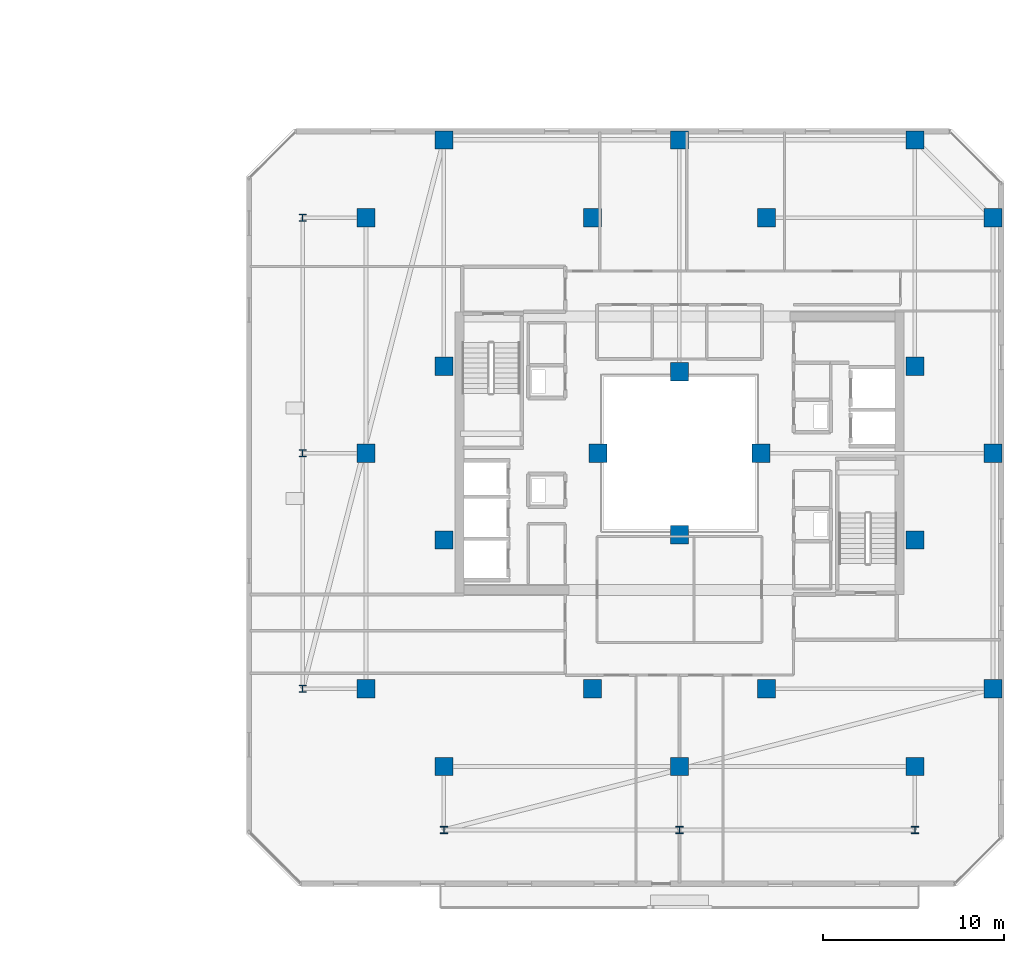
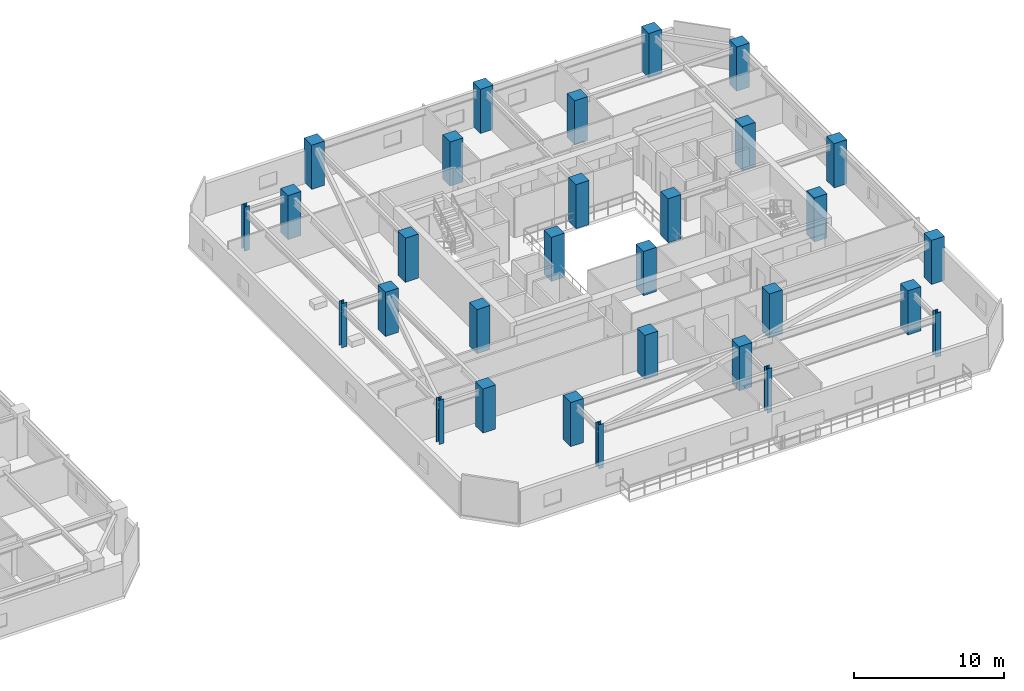
# One storey, part 2 of 33: 30 columns.
"""IFC4 building model written with IfcOpenShell, lengths in metres."""

from ifc_helpers import new_model, si_unit, direction, frame, origin, origin_2d, place, context, subcontext, project, spatial, rectangle, i_section, extrude, material, material_profile, profile_set, type_object, element, save


model = new_model("IFC4")

# Units and contexts
model_context = context("Model", 3, precision=1e-05, world=origin(), true_north=direction((0.0, 1.0)))
body_context = subcontext(model_context, "Body", "Model", "MODEL_VIEW")
ifc_project = project(units=[si_unit("LENGTHUNIT", "METRE"), si_unit("AREAUNIT", "SQUARE_METRE"), si_unit("VOLUMEUNIT", "CUBIC_METRE"), si_unit("PLANEANGLEUNIT", "RADIAN"), si_unit("MASSUNIT", "GRAM", prefix="KILO")], contexts=[model_context])

# Site, building, storey
site_placement = place(None, origin())
site = spatial("IfcSite", under=ifc_project, at=site_placement, CompositionType="ELEMENT")
building_placement = place(site_placement, origin())
building = spatial("IfcBuilding", under=site, at=building_placement, Name="Thornwick Lancets Civic Towers", CompositionType="ELEMENT")
storey_placement = place(building_placement, frame((0.0, 0.0, 218.10009765625)))
storey = spatial("IfcBuildingStorey", under=building, at=storey_placement, Name="L58", CompositionType="ELEMENT", Elevation=218.10009765625)

# Columns
ifc_material_1 = material(Name="Concrete C50/60", Category="concrete")
ifc_material_profile_1 = material_profile(ifc_material_1, rectangle(XDim=1.0, YDim=1.0, at=origin_2d()), Name="RC 1000x1000")
ifc_profile_set_1 = profile_set([ifc_material_profile_1], Name="Concrete C50/60")
column_type_1 = type_object("IfcColumnType", Name="COL_RC_1000", PredefinedType="COLUMN", material=ifc_profile_set_1)
for number, where, z_axis, x_axis, name in (
    (1, (105.800048828125, 14.0, 0.0), (0.0, 0.0, 1.0), (1.0, 0.0, 0.0), "L58 Spine Mega-Column B01"),
    (2, (105.800048828125, 27.0, 0.0), (0.0, 0.0, 1.0), (1.0, 0.0, 0.0), "L58 Spine Mega-Column B02"),
    (3, (105.800048828125, 40.0, 0.0), (0.0, 0.0, 1.0), (1.0, 0.0, 0.0), "L58 Spine Mega-Column B03"),
    (4, (101.5, 44.300048828125, 0.0), (0.0, 0.0, 1.0), (1.0, 0.0, 0.0), "L58 Spine Mega-Column B04"),
    (5, (88.5, 44.300048828125, 0.0), (0.0, 0.0, 1.0), (1.0, 0.0, 0.0), "L58 Spine Mega-Column B05"),
    (6, (75.5, 44.300048828125, 0.0), (0.0, 0.0, 1.0), (1.0, 0.0, 0.0), "L58 Spine Mega-Column B06"),
    (7, (71.199951171875, 14.0, 0.0), (0.0, 0.0, 1.0), (1.0, 0.0, 0.0), "L58 Spine Mega-Column B07"),
    (8, (71.199951171875, 27.0, 0.0), (0.0, 0.0, 1.0), (1.0, 0.0, 0.0), "L58 Spine Mega-Column B08"),
    (9, (71.199951171875, 40.0, 0.0), (0.0, 0.0, 1.0), (1.0, 0.0, 0.0), "L58 Spine Mega-Column B09"),
    (10, (101.5, 9.699951171875, 0.0), (0.0, 0.0, 1.0), (1.0, 0.0, 0.0), "L58 Spine Mega-Column B10"),
    (11, (88.5, 9.699951171875, 0.0), (0.0, 0.0, 1.0), (1.0, 0.0, 0.0), "L58 Spine Mega-Column B11"),
    (12, (75.5, 9.699951171875, 0.0), (0.0, 0.0, 1.0), (1.0, 0.0, 0.0), "L58 Spine Mega-Column B12"),
    (13, (93.300048828125, 14.0, 0.0), (0.0, 0.0, 1.0), (1.0, 0.0, 0.0), "L58 Spine Mega-Column B13"),
    (14, (93.300048828125, 40.0, 0.0), (0.0, 0.0, 1.0), (1.0, 0.0, 0.0), "L58 Spine Mega-Column B14"),
    (15, (83.699951171875, 14.0, 0.0), (0.0, 0.0, 1.0), (1.0, 0.0, 0.0), "L58 Spine Mega-Column B15"),
    (16, (83.699951171875, 40.0, 0.0), (0.0, 0.0, 1.0), (1.0, 0.0, 0.0), "L58 Spine Mega-Column B16"),
    (17, (101.5, 22.199951171875, 0.0), (0.0, 0.0, 1.0), (1.0, 0.0, 0.0), "L58 Spine Mega-Column B17"),
    (18, (101.5, 31.800048828125, 0.0), (0.0, 0.0, 1.0), (1.0, 0.0, 0.0), "L58 Spine Mega-Column B18"),
    (19, (75.5, 22.199951171875, 0.0), (0.0, 0.0, 1.0), (1.0, 0.0, 0.0), "L58 Spine Mega-Column B19"),
    (20, (75.5, 31.800048828125, 0.0), (0.0, 0.0, 1.0), (1.0, 0.0, 0.0), "L58 Spine Mega-Column B20"),
    (21, (93.0, 27.0, 0.0), (0.0, 0.0, 1.0), (1.0, 0.0, 0.0), "L58 Spine Mega-Column B21"),
    (22, (84.0, 27.0, 0.0), (0.0, 0.0, 1.0), (1.0, 0.0, 0.0), "L58 Spine Mega-Column B22"),
    (23, (88.5, 22.5, 0.0), (0.0, 0.0, 1.0), (1.0, 0.0, 0.0), "L58 Spine Mega-Column B23"),
    (24, (88.5, 31.5, 0.0), (0.0, 0.0, 1.0), (1.0, 0.0, 0.0), "L58 Spine Mega-Column B24"),
):
    element("IfcColumn", number, at=place(storey_placement, frame(where, z_axis=z_axis, x_axis=x_axis)), inside=storey, type_object=column_type_1, Name=name, PredefinedType="COLUMN", context=body_context, shape_type="SweptSolid", body=[
        extrude(rectangle(XDim=1.0, YDim=1.0, at=origin_2d()), origin(), (0.0, 0.0, 1.0), 3.599853515625),
    ])
ifc_material_2 = material(Name="Steel S355JR", Category="steel")
ifc_material_profile_2 = material_profile(ifc_material_2, i_section(OverallWidth=0.39892578125, OverallDepth=0.3935546875, WebThickness=0.022705078125, FlangeThickness=0.03662109375, FilletRadius=0.01513671875, at=origin_2d()), Name="UKC 356x406x287")
ifc_profile_set_2 = profile_set([ifc_material_profile_2], Name="Steel S355JR")
column_type_2 = type_object("IfcColumnType", Name="COL_UKC_287", PredefinedType="COLUMN", material=ifc_profile_set_2)
for number, where, z_axis, x_axis, name in (
    (25, (67.699951171875, 14.0, 0.0), (0.0, 0.0, 1.0), (1.0, 0.0, 0.0), "L58 Block Perimeter Column B07"),
    (26, (67.699951171875, 27.0, 0.0), (0.0, 0.0, 1.0), (1.0, 0.0, 0.0), "L58 Block Perimeter Column B08"),
    (27, (67.699951171875, 40.0, 0.0), (0.0, 0.0, 1.0), (1.0, 0.0, 0.0), "L58 Block Perimeter Column B09"),
    (28, (101.5, 6.199951171875, 0.0), (0.0, 0.0, 1.0), (1.0, 0.0, 0.0), "L58 Block Perimeter Column B10"),
    (29, (88.5, 6.199951171875, 0.0), (0.0, 0.0, 1.0), (1.0, 0.0, 0.0), "L58 Block Perimeter Column B11"),
    (30, (75.5, 6.199951171875, 0.0), (0.0, 0.0, 1.0), (1.0, 0.0, 0.0), "L58 Block Perimeter Column B12"),
):
    element("IfcColumn", number, at=place(storey_placement, frame(where, z_axis=z_axis, x_axis=x_axis)), inside=storey, type_object=column_type_2, Name=name, PredefinedType="COLUMN", context=body_context, shape_type="SweptSolid", body=[
        extrude(i_section(OverallWidth=0.39892578125, OverallDepth=0.3935546875, WebThickness=0.022705078125, FlangeThickness=0.03662109375, FilletRadius=0.01513671875, at=origin_2d()), origin(), (0.0, 0.0, 1.0), 3.599853515625),
    ])

save(model, "model.ifc")
